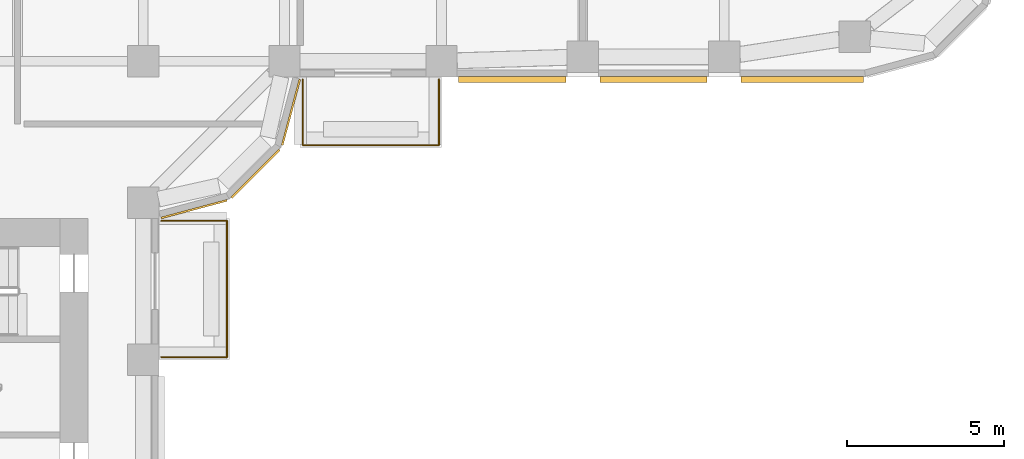
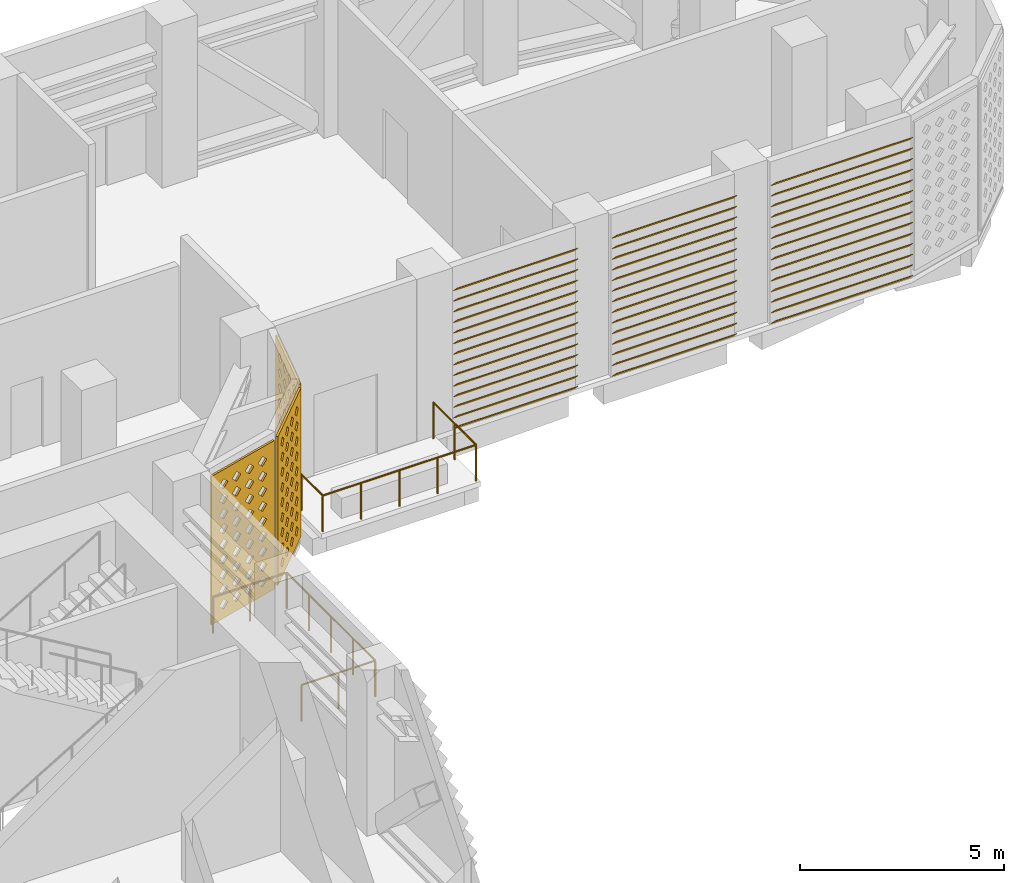
# One storey, part 13 of 20: 3 coverings, 3 shading devices, 2 railings.
"""IFC4 building model written with IfcOpenShell, lengths in metres."""

from ifc_helpers import new_model, si_unit, direction, frame, origin, origin_2d, place, context, subcontext, project, spatial, polyline, circle, outline, extrude, source, transform, mapped, material, layer, layer_set, type_object, element, save


model = new_model("IFC4")

# Units and contexts
model_context = context("Model", 3, precision=1e-05, world=origin(), true_north=direction((0.0, 1.0)))
body_context = subcontext(model_context, "Body", "Model", "MODEL_VIEW")
ifc_project = project(units=[si_unit("LENGTHUNIT", "METRE"), si_unit("AREAUNIT", "SQUARE_METRE"), si_unit("VOLUMEUNIT", "CUBIC_METRE"), si_unit("PLANEANGLEUNIT", "RADIAN"), si_unit("MASSUNIT", "GRAM", prefix="KILO")], contexts=[model_context])

# Site, building, storey
site_placement = place(None, origin())
site = spatial("IfcSite", under=ifc_project, at=site_placement, CompositionType="ELEMENT")
building_placement = place(site_placement, origin())
building = spatial("IfcBuilding", under=site, at=building_placement, Name="Zarbagh Exchange Tower", CompositionType="ELEMENT")
storey_placement = place(building_placement, frame((0.0, 0.0, 81.60009765625)))
storey = spatial("IfcBuildingStorey", under=building, at=storey_placement, Name="L18", CompositionType="ELEMENT", Elevation=81.60009765625)

# Railings
ifc_material_1 = material(Name="Stainless steel and laminated glass", Category="steel")
railing_type = type_object("IfcRailingType", Name="Terrace guard, glass balustrade 1.1 m", PredefinedType="GUARDRAIL", material=ifc_material_1)
railing_1_placement = place(storey_placement, frame((6.830078125, -11.330078125, 0.0)))
element("IfcRailing", 1, at=railing_1_placement, inside=storey, type_object=railing_type, Name="TG01 terrace guard", PredefinedType="GUARDRAIL", context=body_context, shape_type="SweptSolid", body=[
    extrude(circle(Radius=0.02490234375, at=origin_2d()), frame((0.0, 0.0, 1.0751953125), z_axis=(1.0, 0.0, 0.0), x_axis=(0.0, 1.0, 0.0)), (0.0, 0.0, 1.0), 2.08984375),
    extrude(circle(Radius=0.02490234375, at=origin_2d()), frame((2.08984375, 0.0, 1.0751953125), z_axis=(0.0, -1.0, 0.0), x_axis=(1.0, 0.0, 0.0)), (0.0, 0.0, 1.0), 4.33984375),
    extrude(circle(Radius=0.02490234375, at=origin_2d()), frame((2.08984375, -4.33984375, 1.0751953125), z_axis=(-1.0, 0.0, 0.0), x_axis=(0.0, -1.0, 0.0)), (0.0, 0.0, 1.0), 2.08984375),
    extrude(circle(Radius=0.02490234375, at=origin_2d()), origin(), (0.0, 0.0, 1.0), 1.050048828125),
    extrude(circle(Radius=0.02490234375, at=origin_2d()), frame((1.044921875, 0.0, 0.0)), (0.0, 0.0, 1.0), 1.050048828125),
    extrude(circle(Radius=0.02490234375, at=origin_2d()), frame((2.08984375, 0.0, 0.0)), (0.0, 0.0, 1.0), 1.050048828125),
    extrude(circle(Radius=0.02490234375, at=origin_2d()), frame((2.08984375, -1.0849609375, 0.0)), (0.0, 0.0, 1.0), 1.050048828125),
    extrude(circle(Radius=0.02490234375, at=origin_2d()), frame((2.08984375, -2.169921875, 0.0)), (0.0, 0.0, 1.0), 1.050048828125),
    extrude(circle(Radius=0.02490234375, at=origin_2d()), frame((2.08984375, -3.2548828125, 0.0)), (0.0, 0.0, 1.0), 1.050048828125),
    extrude(circle(Radius=0.02490234375, at=origin_2d()), frame((2.08984375, -4.33984375, 0.0)), (0.0, 0.0, 1.0), 1.050048828125),
    extrude(circle(Radius=0.02490234375, at=origin_2d()), frame((1.044921875, -4.33984375, 0.0)), (0.0, 0.0, 1.0), 1.050048828125),
    extrude(circle(Radius=0.02490234375, at=origin_2d()), frame((0.0, -4.33984375, 0.0)), (0.0, 0.0, 1.0), 1.050048828125),
])
railing_2_placement = place(storey_placement, frame((15.669921875, -6.830078125, 0.0)))
element("IfcRailing", 2, at=railing_2_placement, inside=storey, type_object=railing_type, Name="TG01 terrace guard", PredefinedType="GUARDRAIL", context=body_context, shape_type="SweptSolid", body=[
    extrude(circle(Radius=0.02490234375, at=origin_2d()), frame((0.0, 0.0, 1.0751953125), z_axis=(0.0, -1.0, 0.0), x_axis=(1.0, 0.0, 0.0)), (0.0, 0.0, 1.0), 2.08984375),
    extrude(circle(Radius=0.02490234375, at=origin_2d()), frame((0.0, -2.08984375, 1.0751953125), z_axis=(-1.0, 0.0, 0.0), x_axis=(0.0, -1.0, 0.0)), (0.0, 0.0, 1.0), 4.33984375),
    extrude(circle(Radius=0.02490234375, at=origin_2d()), frame((-4.33984375, -2.08984375, 1.0751953125), z_axis=(0.0, 1.0, 0.0), x_axis=(-1.0, 0.0, 0.0)), (0.0, 0.0, 1.0), 2.08984375),
    extrude(circle(Radius=0.02490234375, at=origin_2d()), origin(), (0.0, 0.0, 1.0), 1.050048828125),
    extrude(circle(Radius=0.02490234375, at=origin_2d()), frame((0.0, -1.044921875, 0.0)), (0.0, 0.0, 1.0), 1.050048828125),
    extrude(circle(Radius=0.02490234375, at=origin_2d()), frame((0.0, -2.08984375, 0.0)), (0.0, 0.0, 1.0), 1.050048828125),
    extrude(circle(Radius=0.02490234375, at=origin_2d()), frame((-1.0849609375, -2.08984375, 0.0)), (0.0, 0.0, 1.0), 1.050048828125),
    extrude(circle(Radius=0.02490234375, at=origin_2d()), frame((-2.169921875, -2.08984375, 0.0)), (0.0, 0.0, 1.0), 1.050048828125),
    extrude(circle(Radius=0.02490234375, at=origin_2d()), frame((-3.2548828125, -2.08984375, 0.0)), (0.0, 0.0, 1.0), 1.050048828125),
    extrude(circle(Radius=0.02490234375, at=origin_2d()), frame((-4.33984375, -2.08984375, 0.0)), (0.0, 0.0, 1.0), 1.050048828125),
    extrude(circle(Radius=0.02490234375, at=origin_2d()), frame((-4.33984375, -1.044921875, 0.0)), (0.0, 0.0, 1.0), 1.050048828125),
    extrude(circle(Radius=0.02490234375, at=origin_2d()), frame((-4.33984375, 0.0, 0.0)), (0.0, 0.0, 1.0), 1.050048828125),
])

# Covering
ifc_material_2 = material(Name="Glass-fibre reinforced concrete GFRC C50/60", Category="concrete")
ifc_layer = layer(ifc_material_2, 0.06005859375)
ifc_layer_set = layer_set([ifc_layer], Name="SCREEN jali panel, GFRC")
covering_type = type_object("IfcCoveringType", Name="SCREEN jali panel, GFRC", PredefinedType="CLADDING", material=ifc_layer_set)
shared_shape_1 = source(origin(), body_context, "Body", "SweptSolid", [
    extrude(outline(polyline([(0.0, 0.0), (2.1650390625, 0.0), (2.1650390625, 4.449951171875), (0.0, 4.449951171875), (0.0, 0.0)]), holes=[polyline([(0.257568359375, 0.425048828125), (0.407470703125, 0.27490234375), (0.5576171875, 0.425048828125), (0.407470703125, 0.574951171875), (0.257568359375, 0.425048828125)]), polyline([(0.257568359375, 0.875), (0.407470703125, 0.72509765625), (0.5576171875, 0.875), (0.407470703125, 1.02490234375), (0.257568359375, 0.875)]), polyline([(0.257568359375, 1.324951171875), (0.407470703125, 1.175048828125), (0.5576171875, 1.324951171875), (0.407470703125, 1.47509765625), (0.257568359375, 1.324951171875)]), polyline([(0.257568359375, 1.77490234375), (0.407470703125, 1.625), (0.5576171875, 1.77490234375), (0.407470703125, 1.925048828125), (0.257568359375, 1.77490234375)]), polyline([(0.257568359375, 2.22509765625), (0.407470703125, 2.074951171875), (0.5576171875, 2.22509765625), (0.407470703125, 2.375), (0.257568359375, 2.22509765625)]), polyline([(0.257568359375, 2.675048828125), (0.407470703125, 2.52490234375), (0.5576171875, 2.675048828125), (0.407470703125, 2.824951171875), (0.257568359375, 2.675048828125)]), polyline([(0.257568359375, 3.125), (0.407470703125, 2.97509765625), (0.5576171875, 3.125), (0.407470703125, 3.27490234375), (0.257568359375, 3.125)]), polyline([(0.257568359375, 3.574951171875), (0.407470703125, 3.425048828125), (0.5576171875, 3.574951171875), (0.407470703125, 3.72509765625), (0.257568359375, 3.574951171875)]), polyline([(0.257568359375, 4.02490234375), (0.407470703125, 3.875), (0.5576171875, 4.02490234375), (0.407470703125, 4.175048828125), (0.257568359375, 4.02490234375)]), polyline([(0.70751953125, 0.425048828125), (0.857421875, 0.27490234375), (1.007568359375, 0.425048828125), (0.857421875, 0.574951171875), (0.70751953125, 0.425048828125)]), polyline([(0.70751953125, 0.875), (0.857421875, 0.72509765625), (1.007568359375, 0.875), (0.857421875, 1.02490234375), (0.70751953125, 0.875)]), polyline([(0.70751953125, 1.324951171875), (0.857421875, 1.175048828125), (1.007568359375, 1.324951171875), (0.857421875, 1.47509765625), (0.70751953125, 1.324951171875)]), polyline([(0.70751953125, 1.77490234375), (0.857421875, 1.625), (1.007568359375, 1.77490234375), (0.857421875, 1.925048828125), (0.70751953125, 1.77490234375)]), polyline([(0.70751953125, 2.22509765625), (0.857421875, 2.074951171875), (1.007568359375, 2.22509765625), (0.857421875, 2.375), (0.70751953125, 2.22509765625)]), polyline([(0.70751953125, 2.675048828125), (0.857421875, 2.52490234375), (1.007568359375, 2.675048828125), (0.857421875, 2.824951171875), (0.70751953125, 2.675048828125)]), polyline([(0.70751953125, 3.125), (0.857421875, 2.97509765625), (1.007568359375, 3.125), (0.857421875, 3.27490234375), (0.70751953125, 3.125)]), polyline([(0.70751953125, 3.574951171875), (0.857421875, 3.425048828125), (1.007568359375, 3.574951171875), (0.857421875, 3.72509765625), (0.70751953125, 3.574951171875)]), polyline([(0.70751953125, 4.02490234375), (0.857421875, 3.875), (1.007568359375, 4.02490234375), (0.857421875, 4.175048828125), (0.70751953125, 4.02490234375)]), polyline([(1.157470703125, 0.425048828125), (1.3076171875, 0.27490234375), (1.45751953125, 0.425048828125), (1.3076171875, 0.574951171875), (1.157470703125, 0.425048828125)]), polyline([(1.157470703125, 0.875), (1.3076171875, 0.72509765625), (1.45751953125, 0.875), (1.3076171875, 1.02490234375), (1.157470703125, 0.875)]), polyline([(1.157470703125, 1.324951171875), (1.3076171875, 1.175048828125), (1.45751953125, 1.324951171875), (1.3076171875, 1.47509765625), (1.157470703125, 1.324951171875)]), polyline([(1.157470703125, 1.77490234375), (1.3076171875, 1.625), (1.45751953125, 1.77490234375), (1.3076171875, 1.925048828125), (1.157470703125, 1.77490234375)]), polyline([(1.157470703125, 2.22509765625), (1.3076171875, 2.074951171875), (1.45751953125, 2.22509765625), (1.3076171875, 2.375), (1.157470703125, 2.22509765625)]), polyline([(1.157470703125, 2.675048828125), (1.3076171875, 2.52490234375), (1.45751953125, 2.675048828125), (1.3076171875, 2.824951171875), (1.157470703125, 2.675048828125)]), polyline([(1.157470703125, 3.125), (1.3076171875, 2.97509765625), (1.45751953125, 3.125), (1.3076171875, 3.27490234375), (1.157470703125, 3.125)]), polyline([(1.157470703125, 3.574951171875), (1.3076171875, 3.425048828125), (1.45751953125, 3.574951171875), (1.3076171875, 3.72509765625), (1.157470703125, 3.574951171875)]), polyline([(1.157470703125, 4.02490234375), (1.3076171875, 3.875), (1.45751953125, 4.02490234375), (1.3076171875, 4.175048828125), (1.157470703125, 4.02490234375)]), polyline([(1.607421875, 0.425048828125), (1.757568359375, 0.27490234375), (1.907470703125, 0.425048828125), (1.757568359375, 0.574951171875), (1.607421875, 0.425048828125)]), polyline([(1.607421875, 0.875), (1.757568359375, 0.72509765625), (1.907470703125, 0.875), (1.757568359375, 1.02490234375), (1.607421875, 0.875)]), polyline([(1.607421875, 1.324951171875), (1.757568359375, 1.175048828125), (1.907470703125, 1.324951171875), (1.757568359375, 1.47509765625), (1.607421875, 1.324951171875)]), polyline([(1.607421875, 1.77490234375), (1.757568359375, 1.625), (1.907470703125, 1.77490234375), (1.757568359375, 1.925048828125), (1.607421875, 1.77490234375)]), polyline([(1.607421875, 2.22509765625), (1.757568359375, 2.074951171875), (1.907470703125, 2.22509765625), (1.757568359375, 2.375), (1.607421875, 2.22509765625)]), polyline([(1.607421875, 2.675048828125), (1.757568359375, 2.52490234375), (1.907470703125, 2.675048828125), (1.757568359375, 2.824951171875), (1.607421875, 2.675048828125)]), polyline([(1.607421875, 3.125), (1.757568359375, 2.97509765625), (1.907470703125, 3.125), (1.757568359375, 3.27490234375), (1.607421875, 3.125)]), polyline([(1.607421875, 3.574951171875), (1.757568359375, 3.425048828125), (1.907470703125, 3.574951171875), (1.757568359375, 3.72509765625), (1.607421875, 3.574951171875)]), polyline([(1.607421875, 4.02490234375), (1.757568359375, 3.875), (1.907470703125, 4.02490234375), (1.757568359375, 4.175048828125), (1.607421875, 4.02490234375)])]), origin(), (0.0, 0.0, 1.0), 0.06005859375),
])
placement = place(storey_placement, origin())
element("IfcCovering", 3, at=placement, inside=storey, type_object=covering_type, Name="JS05 jali screen", PredefinedType="CLADDING", context=body_context, shape_type="MappedRepresentation", body=[
    mapped(shared_shape_1, transform((9.0439453125, -10.574951171875, 0.199951171875), x_axis=(0.707106781187, 0.707106781187, 0.0), y_axis=(0.0, 0.0, 1.0), z_axis=(0.707106781187, -0.707106781187, 0.0))),
])

# Shading devices
ifc_material_3 = material(Name="Anodised aluminium", Category="aluminium")
shading_device_type = type_object("IfcShadingDeviceType", Name="LOUVRE plant louvre, fixed blades", PredefinedType="USERDEFINED", material=ifc_material_3)
shared_shape_2 = source(origin(), body_context, "Body", "SweptSolid", [
    extrude(outline(polyline([(0.0, 0.199951171875), (0.199951171875, 0.0), (0.199951171875, -0.02001953125), (0.0, 0.179931640625), (0.0, 0.199951171875)])), origin(), (0.0, 0.0, 1.0), 3.419921875),
])
element("IfcShadingDevice", 4, at=placement, inside=storey, type_object=shading_device_type, Name="LV02 plant louvre", ObjectType="LOUVRE", PredefinedType="USERDEFINED", context=body_context, shape_type="MappedRepresentation", body=[
    mapped(shared_shape_2, transform((16.2900390625, -6.72998046875, 0.199951171875), x_axis=(0.0, -1.0, 0.0), y_axis=(0.0, 0.0, -1.0), z_axis=(1.0, 0.0, 0.0))),
    mapped(shared_shape_2, transform((16.2900390625, -6.72998046875, 0.517822265625), x_axis=(0.0, -1.0, 0.0), y_axis=(0.0, 0.0, -1.0), z_axis=(1.0, 0.0, 0.0))),
    mapped(shared_shape_2, transform((16.2900390625, -6.72998046875, 0.835693359375), x_axis=(0.0, -1.0, 0.0), y_axis=(0.0, 0.0, -1.0), z_axis=(1.0, 0.0, 0.0))),
    mapped(shared_shape_2, transform((16.2900390625, -6.72998046875, 1.153564453125), x_axis=(0.0, -1.0, 0.0), y_axis=(0.0, 0.0, -1.0), z_axis=(1.0, 0.0, 0.0))),
    mapped(shared_shape_2, transform((16.2900390625, -6.72998046875, 1.471435546875), x_axis=(0.0, -1.0, 0.0), y_axis=(0.0, 0.0, -1.0), z_axis=(1.0, 0.0, 0.0))),
    mapped(shared_shape_2, transform((16.2900390625, -6.72998046875, 1.789306640625), x_axis=(0.0, -1.0, 0.0), y_axis=(0.0, 0.0, -1.0), z_axis=(1.0, 0.0, 0.0))),
    mapped(shared_shape_2, transform((16.2900390625, -6.72998046875, 2.10693359375), x_axis=(0.0, -1.0, 0.0), y_axis=(0.0, 0.0, -1.0), z_axis=(1.0, 0.0, 0.0))),
    mapped(shared_shape_2, transform((16.2900390625, -6.72998046875, 2.4248046875), x_axis=(0.0, -1.0, 0.0), y_axis=(0.0, 0.0, -1.0), z_axis=(1.0, 0.0, 0.0))),
    mapped(shared_shape_2, transform((16.2900390625, -6.72998046875, 2.74267578125), x_axis=(0.0, -1.0, 0.0), y_axis=(0.0, 0.0, -1.0), z_axis=(1.0, 0.0, 0.0))),
    mapped(shared_shape_2, transform((16.2900390625, -6.72998046875, 3.060546875), x_axis=(0.0, -1.0, 0.0), y_axis=(0.0, 0.0, -1.0), z_axis=(1.0, 0.0, 0.0))),
    mapped(shared_shape_2, transform((16.2900390625, -6.72998046875, 3.37841796875), x_axis=(0.0, -1.0, 0.0), y_axis=(0.0, 0.0, -1.0), z_axis=(1.0, 0.0, 0.0))),
    mapped(shared_shape_2, transform((16.2900390625, -6.72998046875, 3.6962890625), x_axis=(0.0, -1.0, 0.0), y_axis=(0.0, 0.0, -1.0), z_axis=(1.0, 0.0, 0.0))),
    mapped(shared_shape_2, transform((16.2900390625, -6.72998046875, 4.01416015625), x_axis=(0.0, -1.0, 0.0), y_axis=(0.0, 0.0, -1.0), z_axis=(1.0, 0.0, 0.0))),
    mapped(shared_shape_2, transform((16.2900390625, -6.72998046875, 4.33203125), x_axis=(0.0, -1.0, 0.0), y_axis=(0.0, 0.0, -1.0), z_axis=(1.0, 0.0, 0.0))),
])
element("IfcShadingDevice", 5, at=placement, inside=storey, type_object=shading_device_type, Name="LV02 plant louvre", ObjectType="LOUVRE", PredefinedType="USERDEFINED", context=body_context, shape_type="MappedRepresentation", body=[
    mapped(shared_shape_2, transform((20.7900390625, -6.72998046875, 0.199951171875), x_axis=(0.0, -1.0, 0.0), y_axis=(0.0, 0.0, -1.0), z_axis=(1.0, 0.0, 0.0))),
    mapped(shared_shape_2, transform((20.7900390625, -6.72998046875, 0.517822265625), x_axis=(0.0, -1.0, 0.0), y_axis=(0.0, 0.0, -1.0), z_axis=(1.0, 0.0, 0.0))),
    mapped(shared_shape_2, transform((20.7900390625, -6.72998046875, 0.835693359375), x_axis=(0.0, -1.0, 0.0), y_axis=(0.0, 0.0, -1.0), z_axis=(1.0, 0.0, 0.0))),
    mapped(shared_shape_2, transform((20.7900390625, -6.72998046875, 1.153564453125), x_axis=(0.0, -1.0, 0.0), y_axis=(0.0, 0.0, -1.0), z_axis=(1.0, 0.0, 0.0))),
    mapped(shared_shape_2, transform((20.7900390625, -6.72998046875, 1.471435546875), x_axis=(0.0, -1.0, 0.0), y_axis=(0.0, 0.0, -1.0), z_axis=(1.0, 0.0, 0.0))),
    mapped(shared_shape_2, transform((20.7900390625, -6.72998046875, 1.789306640625), x_axis=(0.0, -1.0, 0.0), y_axis=(0.0, 0.0, -1.0), z_axis=(1.0, 0.0, 0.0))),
    mapped(shared_shape_2, transform((20.7900390625, -6.72998046875, 2.10693359375), x_axis=(0.0, -1.0, 0.0), y_axis=(0.0, 0.0, -1.0), z_axis=(1.0, 0.0, 0.0))),
    mapped(shared_shape_2, transform((20.7900390625, -6.72998046875, 2.4248046875), x_axis=(0.0, -1.0, 0.0), y_axis=(0.0, 0.0, -1.0), z_axis=(1.0, 0.0, 0.0))),
    mapped(shared_shape_2, transform((20.7900390625, -6.72998046875, 2.74267578125), x_axis=(0.0, -1.0, 0.0), y_axis=(0.0, 0.0, -1.0), z_axis=(1.0, 0.0, 0.0))),
    mapped(shared_shape_2, transform((20.7900390625, -6.72998046875, 3.060546875), x_axis=(0.0, -1.0, 0.0), y_axis=(0.0, 0.0, -1.0), z_axis=(1.0, 0.0, 0.0))),
    mapped(shared_shape_2, transform((20.7900390625, -6.72998046875, 3.37841796875), x_axis=(0.0, -1.0, 0.0), y_axis=(0.0, 0.0, -1.0), z_axis=(1.0, 0.0, 0.0))),
    mapped(shared_shape_2, transform((20.7900390625, -6.72998046875, 3.6962890625), x_axis=(0.0, -1.0, 0.0), y_axis=(0.0, 0.0, -1.0), z_axis=(1.0, 0.0, 0.0))),
    mapped(shared_shape_2, transform((20.7900390625, -6.72998046875, 4.01416015625), x_axis=(0.0, -1.0, 0.0), y_axis=(0.0, 0.0, -1.0), z_axis=(1.0, 0.0, 0.0))),
    mapped(shared_shape_2, transform((20.7900390625, -6.72998046875, 4.33203125), x_axis=(0.0, -1.0, 0.0), y_axis=(0.0, 0.0, -1.0), z_axis=(1.0, 0.0, 0.0))),
])

# Coverings
shared_shape_3 = source(origin(), body_context, "Body", "SweptSolid", [
    extrude(outline(polyline([(0.0, 0.0), (2.173583984375, 0.0), (2.173583984375, 4.449951171875), (0.0, 4.449951171875), (0.0, 0.0)]), holes=[polyline([(0.261962890625, 0.425048828125), (0.411865234375, 0.27490234375), (0.561767578125, 0.425048828125), (0.411865234375, 0.574951171875), (0.261962890625, 0.425048828125)]), polyline([(0.261962890625, 0.875), (0.411865234375, 0.72509765625), (0.561767578125, 0.875), (0.411865234375, 1.02490234375), (0.261962890625, 0.875)]), polyline([(0.261962890625, 1.324951171875), (0.411865234375, 1.175048828125), (0.561767578125, 1.324951171875), (0.411865234375, 1.47509765625), (0.261962890625, 1.324951171875)]), polyline([(0.261962890625, 1.77490234375), (0.411865234375, 1.625), (0.561767578125, 1.77490234375), (0.411865234375, 1.925048828125), (0.261962890625, 1.77490234375)]), polyline([(0.261962890625, 2.22509765625), (0.411865234375, 2.074951171875), (0.561767578125, 2.22509765625), (0.411865234375, 2.375), (0.261962890625, 2.22509765625)]), polyline([(0.261962890625, 2.675048828125), (0.411865234375, 2.52490234375), (0.561767578125, 2.675048828125), (0.411865234375, 2.824951171875), (0.261962890625, 2.675048828125)]), polyline([(0.261962890625, 3.125), (0.411865234375, 2.97509765625), (0.561767578125, 3.125), (0.411865234375, 3.27490234375), (0.261962890625, 3.125)]), polyline([(0.261962890625, 3.574951171875), (0.411865234375, 3.425048828125), (0.561767578125, 3.574951171875), (0.411865234375, 3.72509765625), (0.261962890625, 3.574951171875)]), polyline([(0.261962890625, 4.02490234375), (0.411865234375, 3.875), (0.561767578125, 4.02490234375), (0.411865234375, 4.175048828125), (0.261962890625, 4.02490234375)]), polyline([(0.7119140625, 0.425048828125), (0.86181640625, 0.27490234375), (1.011962890625, 0.425048828125), (0.86181640625, 0.574951171875), (0.7119140625, 0.425048828125)]), polyline([(0.7119140625, 0.875), (0.86181640625, 0.72509765625), (1.011962890625, 0.875), (0.86181640625, 1.02490234375), (0.7119140625, 0.875)]), polyline([(0.7119140625, 1.324951171875), (0.86181640625, 1.175048828125), (1.011962890625, 1.324951171875), (0.86181640625, 1.47509765625), (0.7119140625, 1.324951171875)]), polyline([(0.7119140625, 1.77490234375), (0.86181640625, 1.625), (1.011962890625, 1.77490234375), (0.86181640625, 1.925048828125), (0.7119140625, 1.77490234375)]), polyline([(0.7119140625, 2.22509765625), (0.86181640625, 2.074951171875), (1.011962890625, 2.22509765625), (0.86181640625, 2.375), (0.7119140625, 2.22509765625)]), polyline([(0.7119140625, 2.675048828125), (0.86181640625, 2.52490234375), (1.011962890625, 2.675048828125), (0.86181640625, 2.824951171875), (0.7119140625, 2.675048828125)]), polyline([(0.7119140625, 3.125), (0.86181640625, 2.97509765625), (1.011962890625, 3.125), (0.86181640625, 3.27490234375), (0.7119140625, 3.125)]), polyline([(0.7119140625, 3.574951171875), (0.86181640625, 3.425048828125), (1.011962890625, 3.574951171875), (0.86181640625, 3.72509765625), (0.7119140625, 3.574951171875)]), polyline([(0.7119140625, 4.02490234375), (0.86181640625, 3.875), (1.011962890625, 4.02490234375), (0.86181640625, 4.175048828125), (0.7119140625, 4.02490234375)]), polyline([(1.161865234375, 0.425048828125), (1.311767578125, 0.27490234375), (1.4619140625, 0.425048828125), (1.311767578125, 0.574951171875), (1.161865234375, 0.425048828125)]), polyline([(1.161865234375, 0.875), (1.311767578125, 0.72509765625), (1.4619140625, 0.875), (1.311767578125, 1.02490234375), (1.161865234375, 0.875)]), polyline([(1.161865234375, 1.324951171875), (1.311767578125, 1.175048828125), (1.4619140625, 1.324951171875), (1.311767578125, 1.47509765625), (1.161865234375, 1.324951171875)]), polyline([(1.161865234375, 1.77490234375), (1.311767578125, 1.625), (1.4619140625, 1.77490234375), (1.311767578125, 1.925048828125), (1.161865234375, 1.77490234375)]), polyline([(1.161865234375, 2.22509765625), (1.311767578125, 2.074951171875), (1.4619140625, 2.22509765625), (1.311767578125, 2.375), (1.161865234375, 2.22509765625)]), polyline([(1.161865234375, 2.675048828125), (1.311767578125, 2.52490234375), (1.4619140625, 2.675048828125), (1.311767578125, 2.824951171875), (1.161865234375, 2.675048828125)]), polyline([(1.161865234375, 3.125), (1.311767578125, 2.97509765625), (1.4619140625, 3.125), (1.311767578125, 3.27490234375), (1.161865234375, 3.125)]), polyline([(1.161865234375, 3.574951171875), (1.311767578125, 3.425048828125), (1.4619140625, 3.574951171875), (1.311767578125, 3.72509765625), (1.161865234375, 3.574951171875)]), polyline([(1.161865234375, 4.02490234375), (1.311767578125, 3.875), (1.4619140625, 4.02490234375), (1.311767578125, 4.175048828125), (1.161865234375, 4.02490234375)]), polyline([(1.61181640625, 0.425048828125), (1.761962890625, 0.27490234375), (1.911865234375, 0.425048828125), (1.761962890625, 0.574951171875), (1.61181640625, 0.425048828125)]), polyline([(1.61181640625, 0.875), (1.761962890625, 0.72509765625), (1.911865234375, 0.875), (1.761962890625, 1.02490234375), (1.61181640625, 0.875)]), polyline([(1.61181640625, 1.324951171875), (1.761962890625, 1.175048828125), (1.911865234375, 1.324951171875), (1.761962890625, 1.47509765625), (1.61181640625, 1.324951171875)]), polyline([(1.61181640625, 1.77490234375), (1.761962890625, 1.625), (1.911865234375, 1.77490234375), (1.761962890625, 1.925048828125), (1.61181640625, 1.77490234375)]), polyline([(1.61181640625, 2.22509765625), (1.761962890625, 2.074951171875), (1.911865234375, 2.22509765625), (1.761962890625, 2.375), (1.61181640625, 2.22509765625)]), polyline([(1.61181640625, 2.675048828125), (1.761962890625, 2.52490234375), (1.911865234375, 2.675048828125), (1.761962890625, 2.824951171875), (1.61181640625, 2.675048828125)]), polyline([(1.61181640625, 3.125), (1.761962890625, 2.97509765625), (1.911865234375, 3.125), (1.761962890625, 3.27490234375), (1.61181640625, 3.125)]), polyline([(1.61181640625, 3.574951171875), (1.761962890625, 3.425048828125), (1.911865234375, 3.574951171875), (1.761962890625, 3.72509765625), (1.61181640625, 3.574951171875)]), polyline([(1.61181640625, 4.02490234375), (1.761962890625, 3.875), (1.911865234375, 4.02490234375), (1.761962890625, 4.175048828125), (1.61181640625, 4.02490234375)])]), origin(), (0.0, 0.0, 1.0), 0.06005859375),
])
element("IfcCovering", 6, at=placement, inside=storey, type_object=covering_type, Name="JS04 jali screen", PredefinedType="CLADDING", context=body_context, shape_type="MappedRepresentation", body=[
    mapped(shared_shape_3, transform((6.81591796875, -11.211669921875, 0.199951171875), x_axis=(0.965924215207, 0.258825057666, 0.0), y_axis=(0.0, 0.0, 1.0), z_axis=(0.258825057666, -0.965924215207, 0.0))),
])
element("IfcCovering", 7, at=placement, inside=storey, type_object=covering_type, Name="JS06 jali screen", PredefinedType="CLADDING", context=body_context, shape_type="MappedRepresentation", body=[
    mapped(shared_shape_3, transform((10.64892578125, -8.91552734375, 0.199951171875), x_axis=(0.258825057666, 0.965924215207, 0.0), y_axis=(0.0, 0.0, 1.0), z_axis=(0.965924215207, -0.258825057666, 0.0))),
])

# Shading device
shared_shape_4 = source(origin(), body_context, "Body", "SweptSolid", [
    extrude(outline(polyline([(0.0, 0.199951171875), (0.199951171875, 0.0), (0.199951171875, -0.02001953125), (0.0, 0.179931640625), (0.0, 0.199951171875)])), origin(), (0.0, 0.0, 1.0), 3.894287109375),
])
element("IfcShadingDevice", 8, at=placement, inside=storey, type_object=shading_device_type, Name="LV02 plant louvre", ObjectType="LOUVRE", PredefinedType="USERDEFINED", context=body_context, shape_type="MappedRepresentation", body=[
    mapped(shared_shape_4, transform((25.2900390625, -6.72998046875, 0.199951171875), x_axis=(0.0, -1.0, 0.0), y_axis=(0.0, 0.0, -1.0), z_axis=(1.0, 0.0, 0.0))),
    mapped(shared_shape_4, transform((25.2900390625, -6.72998046875, 0.517822265625), x_axis=(0.0, -1.0, 0.0), y_axis=(0.0, 0.0, -1.0), z_axis=(1.0, 0.0, 0.0))),
    mapped(shared_shape_4, transform((25.2900390625, -6.72998046875, 0.835693359375), x_axis=(0.0, -1.0, 0.0), y_axis=(0.0, 0.0, -1.0), z_axis=(1.0, 0.0, 0.0))),
    mapped(shared_shape_4, transform((25.2900390625, -6.72998046875, 1.153564453125), x_axis=(0.0, -1.0, 0.0), y_axis=(0.0, 0.0, -1.0), z_axis=(1.0, 0.0, 0.0))),
    mapped(shared_shape_4, transform((25.2900390625, -6.72998046875, 1.471435546875), x_axis=(0.0, -1.0, 0.0), y_axis=(0.0, 0.0, -1.0), z_axis=(1.0, 0.0, 0.0))),
    mapped(shared_shape_4, transform((25.2900390625, -6.72998046875, 1.789306640625), x_axis=(0.0, -1.0, 0.0), y_axis=(0.0, 0.0, -1.0), z_axis=(1.0, 0.0, 0.0))),
    mapped(shared_shape_4, transform((25.2900390625, -6.72998046875, 2.10693359375), x_axis=(0.0, -1.0, 0.0), y_axis=(0.0, 0.0, -1.0), z_axis=(1.0, 0.0, 0.0))),
    mapped(shared_shape_4, transform((25.2900390625, -6.72998046875, 2.4248046875), x_axis=(0.0, -1.0, 0.0), y_axis=(0.0, 0.0, -1.0), z_axis=(1.0, 0.0, 0.0))),
    mapped(shared_shape_4, transform((25.2900390625, -6.72998046875, 2.74267578125), x_axis=(0.0, -1.0, 0.0), y_axis=(0.0, 0.0, -1.0), z_axis=(1.0, 0.0, 0.0))),
    mapped(shared_shape_4, transform((25.2900390625, -6.72998046875, 3.060546875), x_axis=(0.0, -1.0, 0.0), y_axis=(0.0, 0.0, -1.0), z_axis=(1.0, 0.0, 0.0))),
    mapped(shared_shape_4, transform((25.2900390625, -6.72998046875, 3.37841796875), x_axis=(0.0, -1.0, 0.0), y_axis=(0.0, 0.0, -1.0), z_axis=(1.0, 0.0, 0.0))),
    mapped(shared_shape_4, transform((25.2900390625, -6.72998046875, 3.6962890625), x_axis=(0.0, -1.0, 0.0), y_axis=(0.0, 0.0, -1.0), z_axis=(1.0, 0.0, 0.0))),
    mapped(shared_shape_4, transform((25.2900390625, -6.72998046875, 4.01416015625), x_axis=(0.0, -1.0, 0.0), y_axis=(0.0, 0.0, -1.0), z_axis=(1.0, 0.0, 0.0))),
    mapped(shared_shape_4, transform((25.2900390625, -6.72998046875, 4.33203125), x_axis=(0.0, -1.0, 0.0), y_axis=(0.0, 0.0, -1.0), z_axis=(1.0, 0.0, 0.0))),
])

save(model, "model.ifc")
